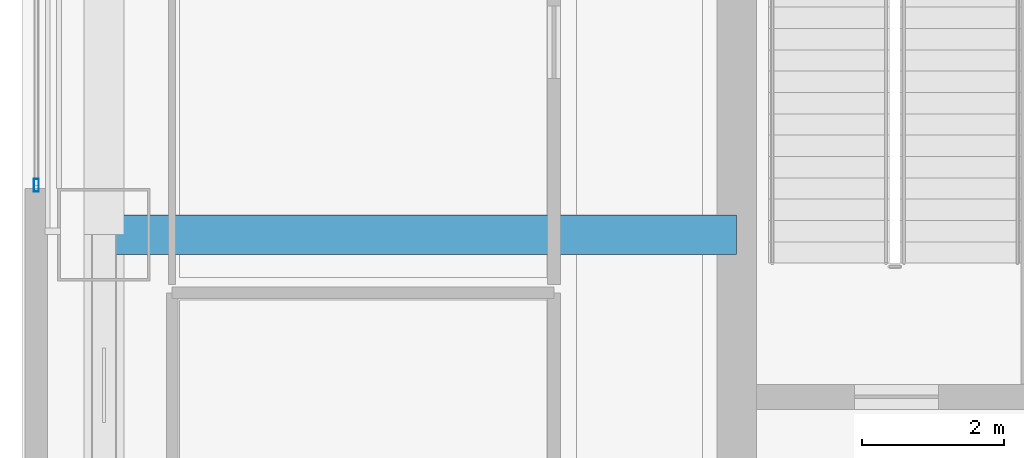
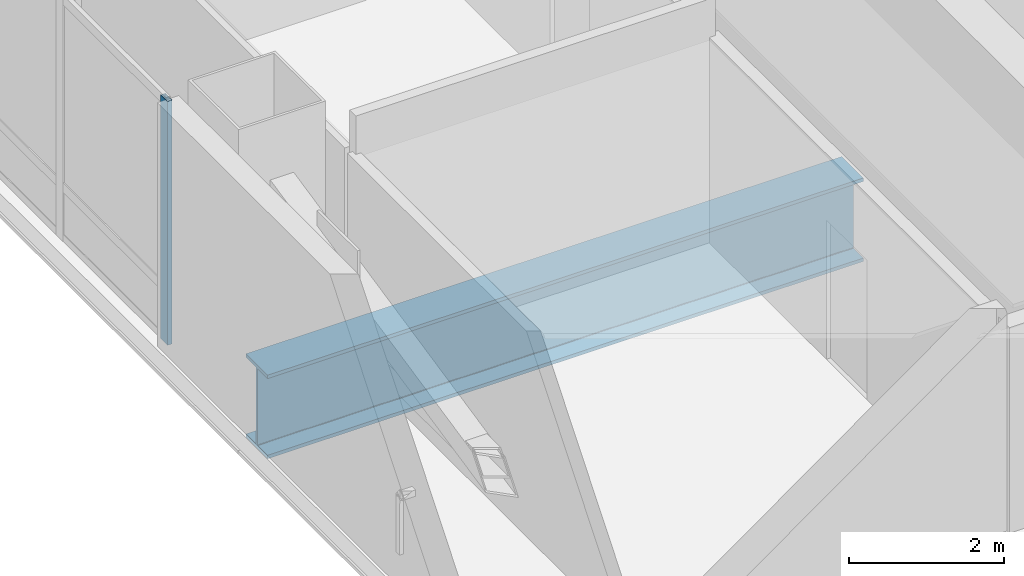
# One storey, part 2 of 30: 1 beam, 1 member, 1 element without a shape of its own.
"""IFC4 building model written with IfcOpenShell, lengths in metres."""

import ifcopenshell
import ifcopenshell.guid

model = None  # the IFC model being written
_history = None  # IfcOwnerHistory: only IFC2X3 demands one
_inside = {}  # id of a spatial element -> (the spatial element, [elements in it])
_under = {}  # id of a project, library or spatial element -> (it, [spatial elements below it])
_declared = {}  # id of a project -> (the project, [libraries it declares])
_typed = {}  # id of a type object -> (the type object, [elements of that type])
_made_of = {}  # id of a material, layer set ... -> (it, [elements and type objects made of it])


def new_model(schema):
    """Start an empty IFC model of exactly this schema.

    Asked for "IFC4X3", IfcOpenShell would pick the latest addendum, in which some entities
    have other attributes; the version numbers below select the first issue.
    IFC2X3 requires an IfcOwnerHistory on every rooted entity: one is made here for all.
    """
    global model, _history
    if schema == "IFC4X3":
        model = ifcopenshell.file(schema_version=(4, 3, 0, 0))
    else:
        model = ifcopenshell.file(schema=schema)
    _inside.clear()
    _under.clear()
    _declared.clear()
    _typed.clear()
    _made_of.clear()
    _history = None
    if model.schema == "IFC2X3":
        org = make("IfcOrganization", Name="unknown")
        user = make(
            "IfcPersonAndOrganization",
            ThePerson=make("IfcPerson", FamilyName="unknown"),
            TheOrganization=org,
        )
        app = make(
            "IfcApplication",
            ApplicationDeveloper=org,
            Version="unknown",
            ApplicationFullName="unknown",
            ApplicationIdentifier="unknown",
        )
        _history = make(
            "IfcOwnerHistory",
            OwningUser=user,
            OwningApplication=app,
            ChangeAction="ADDED",
            CreationDate=0,
        )
    return model


def make(cls, **values):
    """One entity of the class cls with the attributes given. An attribute that is None is left unset."""
    return model.create_entity(
        cls, **{name: value for name, value in values.items() if value is not None}
    )


def rooted(cls, **values):
    """An entity with a GlobalId (a new one), such as an element, a storey or a relation."""
    return make(cls, GlobalId=ifcopenshell.guid.new(), OwnerHistory=_history, **values)


def si_unit(unit_type, name, prefix=None):
    """IfcSIUnit, for example si_unit("LENGTHUNIT", "METRE", prefix="MILLI")."""
    return make("IfcSIUnit", UnitType=unit_type, Prefix=prefix, Name=name)


def assignment(units):
    """IfcUnitAssignment: the units of a project."""
    return None if units is None else make("IfcUnitAssignment", Units=units)


def point(xyz):
    """IfcCartesianPoint."""
    return None if xyz is None else make("IfcCartesianPoint", Coordinates=xyz)


def direction(xyz):
    """IfcDirection."""
    return None if xyz is None else make("IfcDirection", DirectionRatios=xyz)


def frame(location, z_axis=None, x_axis=None):
    """IfcAxis2Placement3D, a coordinate frame: its origin and axes. An axis left out is left unset."""
    return make(
        "IfcAxis2Placement3D",
        Location=point(location),
        Axis=direction(z_axis),
        RefDirection=direction(x_axis),
    )


def frame_2d(location, x_axis=None):
    """IfcAxis2Placement2D, a coordinate frame in the plane: its origin and x axis."""
    return make(
        "IfcAxis2Placement2D", Location=point(location), RefDirection=direction(x_axis)
    )


def origin():
    """The frame at (0, 0, 0) with its axes left unset."""
    return frame((0.0, 0.0, 0.0))


def origin_2d():
    """The frame at (0, 0) in the plane with its x axis left unset."""
    return frame_2d((0.0, 0.0))


def place(relative_to, where):
    """IfcLocalPlacement: puts the frame where relative to a parent placement (None: the world)."""
    return make(
        "IfcLocalPlacement", PlacementRelTo=relative_to, RelativePlacement=where
    )


def context(
    kind, dimensions, precision=None, world=None, true_north=None, identifier=None
):
    """IfcGeometricRepresentationContext, for example the 3D "Model" context."""
    return make(
        "IfcGeometricRepresentationContext",
        ContextIdentifier=identifier,
        ContextType=kind,
        CoordinateSpaceDimension=dimensions,
        Precision=precision,
        WorldCoordinateSystem=world,
        TrueNorth=true_north,
    )


def subcontext(parent, identifier, kind, view, scale=None):
    """IfcGeometricRepresentationSubContext, for example "Body" below "Model"."""
    return make(
        "IfcGeometricRepresentationSubContext",
        ContextIdentifier=identifier,
        ContextType=kind,
        ParentContext=parent,
        TargetScale=scale,
        TargetView=view,
    )


def project(units=None, contexts=None):
    """IfcProject with its units and contexts."""
    return rooted(
        "IfcProject",
        Name="project",
        RepresentationContexts=contexts,
        UnitsInContext=assignment(units),
    )


def spatial(cls, under=None, at=None, **own):
    """A site, building, storey or space (cls), placed at a placement, below another one or the project."""
    s = rooted(cls, ObjectPlacement=at, **own)
    if under is not None:
        _under.setdefault(under.id(), (under, []))[1].append(s)
    return s


def profile(cls, at=None, kind="AREA", **sizes):
    """A parametric profile (cls). Its sizes go by their IFC names, for example OverallWidth=200.0."""
    return make(cls, ProfileType=kind, Position=at, **sizes)


def hollow_rectangle(**sizes):
    """IfcRectangleHollowProfileDef."""
    return profile("IfcRectangleHollowProfileDef", **sizes)


def i_section(**sizes):
    """IfcIShapeProfileDef."""
    return profile("IfcIShapeProfileDef", **sizes)


def extrude(swept, where, along, depth):
    """IfcExtrudedAreaSolid: the profile swept, set in the frame where, extruded along a direction by depth."""
    return make(
        "IfcExtrudedAreaSolid",
        SweptArea=swept,
        Position=where,
        ExtrudedDirection=direction(along),
        Depth=depth,
    )


def shape(context_of_items, identifier, shape_type, items):
    """IfcShapeRepresentation: the items that make up one representation, for example the "Body"."""
    return make(
        "IfcShapeRepresentation",
        ContextOfItems=context_of_items,
        RepresentationIdentifier=identifier,
        RepresentationType=shape_type,
        Items=items,
    )


def material(Name=None, Category=None):
    """IfcMaterial."""
    return make("IfcMaterial", Name=Name, Category=Category)


def material_profile(
    of_material, cross_section, Name=None, Category=None, Priority=None
):
    """IfcMaterialProfile: a cross section and its material."""
    return make(
        "IfcMaterialProfile",
        Name=Name,
        Material=of_material,
        Profile=cross_section,
        Priority=Priority,
        Category=Category,
    )


def profile_set(profiles, Name=None, composite=None):
    """IfcMaterialProfileSet."""
    return make(
        "IfcMaterialProfileSet",
        Name=Name,
        MaterialProfiles=profiles,
        CompositeProfile=composite,
    )


def made_of(thing, what):
    """Note that an element or type object is made of a material, layer set ...; save() writes the relation."""
    if what is not None:
        _made_of.setdefault(what.id(), (what, []))[1].append(thing)
    return thing


def type_object(cls, material=None, **own):
    """A type object (cls), such as IfcWallType, which elements share."""
    return made_of(rooted(cls, **own), material)


def element(
    cls,
    number,
    at=None,
    inside=None,
    cuts=None,
    type_object=None,
    material=None,
    context=None,
    identifier="Body",
    shape_type=None,
    held_by="IfcProductDefinitionShape",
    body=None,
    shapes=None,
    **own,
):
    """One element of the class cls, such as IfcWall. Its Tag is "e" and its number.

    at: its placement. inside: the storey or other place that contains it. cuts: it is an
    opening in that element (IfcRelVoidsElement). A single representation is given by context,
    identifier, shape_type and body (its items); several are given by shapes. held_by: the class
    of the entity that holds the representations. save() writes the other relations.
    """
    e = rooted(cls, Tag="e%d" % number, ObjectPlacement=at, **own)
    if body is not None:
        shapes = [shape(context, identifier, shape_type, body)]
    if shapes is not None:
        e.Representation = make(held_by, Representations=shapes)
    if inside is not None:
        _inside.setdefault(inside.id(), (inside, []))[1].append(e)
    if cuts is not None:
        rooted(
            "IfcRelVoidsElement", RelatingBuildingElement=cuts, RelatedOpeningElement=e
        )
    if type_object is not None:
        _typed.setdefault(type_object.id(), (type_object, []))[1].append(e)
    return made_of(e, material)


def aggregate(whole, parts):
    """IfcRelAggregates: a whole, such as a stair, and the parts it consists of."""
    return rooted("IfcRelAggregates", RelatingObject=whole, RelatedObjects=parts)


def save(model, path):
    """Write the relations noted so far, then the file.

    IfcRelAggregates (storeys below a building ...), IfcRelContainedInSpatialStructure (elements
    in a storey), IfcRelDefinesByType, IfcRelAssociatesMaterial and IfcRelDeclares: one each for
    every whole, place, type object, material and project.
    """
    for whole, parts in _under.values():
        aggregate(whole, parts)
    for where, things in _inside.values():
        rooted(
            "IfcRelContainedInSpatialStructure",
            RelatedElements=things,
            RelatingStructure=where,
        )
    for kind, things in _typed.values():
        rooted("IfcRelDefinesByType", RelatedObjects=things, RelatingType=kind)
    for what, things in _made_of.values():
        rooted("IfcRelAssociatesMaterial", RelatedObjects=things, RelatingMaterial=what)
    for by, libraries in _declared.values():
        rooted("IfcRelDeclares", RelatingContext=by, RelatedDefinitions=libraries)
    model.write(path)


model = new_model("IFC4")

# Units and contexts
model_context = context("Model", 3, precision=1e-05, world=origin(), true_north=direction((0.0, 1.0)))
body_context = subcontext(model_context, "Body", "Model", "MODEL_VIEW")
ifc_project = project(units=[si_unit("LENGTHUNIT", "METRE"), si_unit("AREAUNIT", "SQUARE_METRE"), si_unit("VOLUMEUNIT", "CUBIC_METRE"), si_unit("PLANEANGLEUNIT", "RADIAN"), si_unit("MASSUNIT", "GRAM", prefix="KILO")], contexts=[model_context])

# Site, building, storey
site_placement = place(None, origin())
site = spatial("IfcSite", under=ifc_project, at=site_placement, CompositionType="ELEMENT")
building_placement = place(site_placement, origin())
building = spatial("IfcBuilding", under=site, at=building_placement, Name="Punatoya Terracotta Tower", CompositionType="ELEMENT")
storey_placement = place(building_placement, frame((0.0, 0.0, 251.39990234375)))
storey = spatial("IfcBuildingStorey", under=building, at=storey_placement, Name="L59", CompositionType="ELEMENT", Elevation=251.39990234375)

# Beam
ifc_material_1 = material(Name="Steel S460", Category="steel")
ifc_material_profile_1 = material_profile(ifc_material_1, i_section(OverallWidth=0.56005859375, OverallDepth=1.320068359375, WebThickness=0.035888671875, FlangeThickness=0.054931640625, FilletRadius=0.01806640625, at=origin_2d()))
ifc_profile_set_1 = profile_set([ifc_material_profile_1], Name="Steel S460")
beam_type = type_object("IfcBeamType", Name="BM-TG-BLK", PredefinedType="BEAM", material=ifc_profile_set_1)
beam_placement = place(storey_placement, frame((-19.10009765625, -3.39990234375, -0.93994140625), z_axis=(1.0, 0.0, 0.0), x_axis=(0.0, 1.0, 0.0)))
element("IfcBeam", 1, at=beam_placement, inside=storey, type_object=beam_type, Name="BM-L59-PR-WD", PredefinedType="BEAM", context=body_context, shape_type="SweptSolid", body=[
    extrude(i_section(OverallWidth=0.56005859375, OverallDepth=1.320068359375, WebThickness=0.035888671875, FlangeThickness=0.054931640625, FilletRadius=0.01806640625, at=origin_2d()), origin(), (0.0, 0.0, 1.0), 8.900146484375),
])

# Curtain wall, member
ifc_material_2 = material(Name="Aluminium 6063-T6 + Double Low-E Glass", Category="aluminium")
curtain_wall_type = type_object("IfcCurtainWallType", Name="CW-M3", PredefinedType="NOTDEFINED", material=ifc_material_2)
curtain_wall_placement = place(storey_placement, origin())
curtain_wall = element("IfcCurtainWall", 2, at=curtain_wall_placement, inside=storey, type_object=curtain_wall_type, Name="L59 Curtain Wall CW-L59-W13-1", PredefinedType="NOTDEFINED")
ifc_material_3 = material(Name="Aluminium 6063-T6", Category="aluminium")
ifc_material_profile_2 = material_profile(ifc_material_3, hollow_rectangle(XDim=0.070068359375, YDim=0.179931640625, WallThickness=0.00390625, at=origin_2d()))
ifc_profile_set_2 = profile_set([ifc_material_profile_2], Name="Aluminium 6063-T6")
member_type = type_object("IfcMemberType", Name="CW-MUL-M3", PredefinedType="MULLION", material=ifc_profile_set_2)
member_placement = place(storey_placement, frame((-20.050048828125, -2.705078125, 0.0), z_axis=(0.0, 0.0, 1.0), x_axis=(1.0, 0.0, 0.0)))
member = element("IfcMember", 3, at=member_placement, type_object=member_type, Name="CW-L59-W13-1 Mullion 02", PredefinedType="MULLION", context=body_context, shape_type="SweptSolid", body=[
    extrude(hollow_rectangle(XDim=0.070068359375, YDim=0.179931640625, WallThickness=0.00390625, at=origin_2d()), origin(), (0.0, 0.0, 1.0), 3.85009765625),
])
aggregate(curtain_wall, [member])

save(model, "model.ifc")
